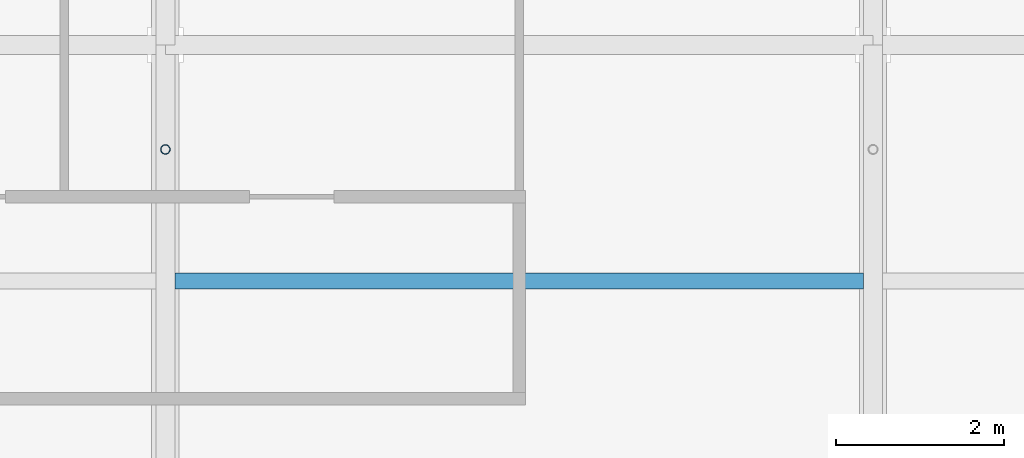
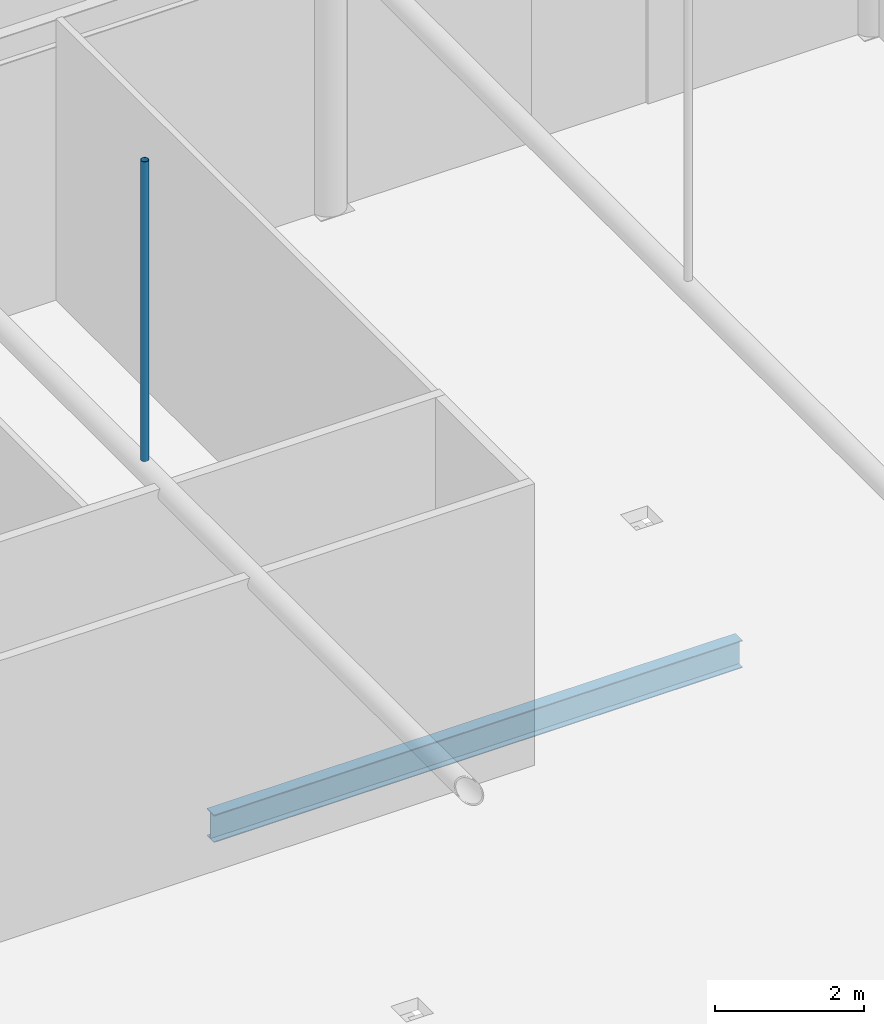
# One storey, part 87 of 167: 1 beam, 1 member.
"""IFC4 building model written with IfcOpenShell, lengths in metres."""

from ifc_helpers import new_model, si_unit, direction, frame, origin, origin_2d, place, context, subcontext, project, spatial, hollow_circle, i_section, extrude, material, material_profile, profile_set, type_object, element, save


model = new_model("IFC4")

# Units and contexts
model_context = context("Model", 3, precision=1e-05, world=origin(), true_north=direction((0.0, 1.0)))
body_context = subcontext(model_context, "Body", "Model", "MODEL_VIEW")
ifc_project = project(units=[si_unit("LENGTHUNIT", "METRE"), si_unit("AREAUNIT", "SQUARE_METRE"), si_unit("VOLUMEUNIT", "CUBIC_METRE"), si_unit("PLANEANGLEUNIT", "RADIAN"), si_unit("MASSUNIT", "GRAM", prefix="KILO")], contexts=[model_context])

# Site, building, storey
site_placement = place(None, origin())
site = spatial("IfcSite", under=ifc_project, at=site_placement, CompositionType="ELEMENT")
building_placement = place(site_placement, origin())
building = spatial("IfcBuilding", under=site, at=building_placement, Name="Catenary Quay Ferry Terminal", CompositionType="ELEMENT")
storey_placement = place(building_placement, frame((0.0, 0.0, 6.0)))
storey = spatial("IfcBuildingStorey", under=building, at=storey_placement, Name="L01", CompositionType="ELEMENT", Elevation=6.0)

# Beam
ifc_material_1 = material(Name="Steel S355", Category="steel")
ifc_material_profile_1 = material_profile(ifc_material_1, i_section(OverallWidth=0.18994140625, OverallDepth=0.449951171875, WebThickness=0.009521484375, FlangeThickness=0.0146484375, at=origin_2d()), Name="IPE 450")
ifc_profile_set_1 = profile_set([ifc_material_profile_1], Name="Steel S355")
beam_type = type_object("IfcBeamType", Name="B4 IPE 450", PredefinedType="BEAM", material=ifc_profile_set_1)
beam_placement = place(storey_placement, frame((75.714111328125, 89.60009765625, -0.425048828125), z_axis=(1.0, 0.0, 0.0), x_axis=(0.0, 1.0, 0.0)))
element("IfcBeam", 1, at=beam_placement, inside=storey, type_object=beam_type, Name="Beam B4-019", PredefinedType="BEAM", context=body_context, shape_type="SweptSolid", body=[
    extrude(i_section(OverallWidth=0.18994140625, OverallDepth=0.449951171875, WebThickness=0.009521484375, FlangeThickness=0.0146484375, at=origin_2d()), origin(), (0.0, 0.0, 1.0), 8.171875),
])

# Member
ifc_material_2 = material(Name="Steel S355", Category="steel")
ifc_material_profile_2 = material_profile(ifc_material_2, hollow_circle(Radius=0.05712890625, WallThickness=0.00634765625, at=origin_2d()), Name="CHS 114.3x6.3")
ifc_profile_set_2 = profile_set([ifc_material_profile_2], Name="Steel S355")
member_type = type_object("IfcMemberType", Name="HG1 CHS 114.3x6.3", PredefinedType="POST", material=ifc_profile_set_2)
member_placement = place(storey_placement, frame((75.60009765625, 91.159912109375, 4.654052734375), z_axis=(0.0, 0.0, 1.0), x_axis=(1.0, 0.0, 0.0)))
element("IfcMember", 2, at=member_placement, inside=storey, type_object=member_type, Name="Hanger VA-07-07", PredefinedType="POST", context=body_context, shape_type="SweptSolid", body=[
    extrude(hollow_circle(Radius=0.05712890625, WallThickness=0.00634765625, at=origin_2d()), origin(), (0.0, 0.0, 1.0), 4.89599609375),
])

save(model, "model.ifc")
